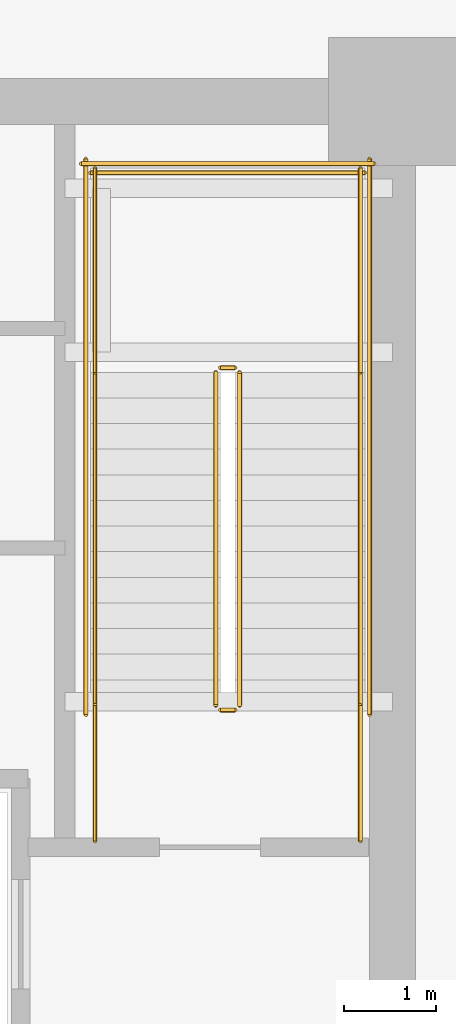
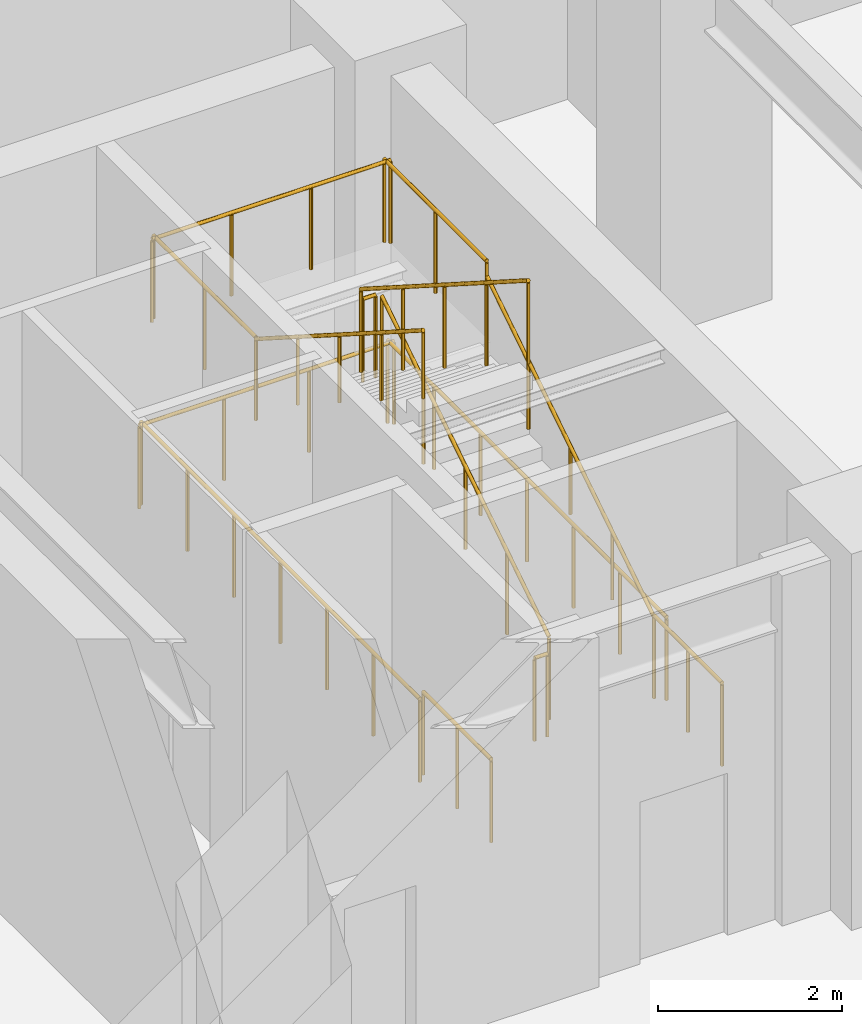
# One storey, part 7 of 8: 14 railings.
"""IFC4 building model written with IfcOpenShell, lengths in metres."""

from ifc_helpers import new_model, si_unit, direction, frame, origin, origin_2d, place, context, subcontext, project, spatial, circle, extrude, material, layer, layer_set, type_object, element, save


model = new_model("IFC4")

# Units and contexts
model_context = context("Model", 3, precision=1e-05, world=origin(), true_north=direction((0.0, 1.0)))
body_context = subcontext(model_context, "Body", "Model", "MODEL_VIEW")
ifc_project = project(units=[si_unit("LENGTHUNIT", "METRE"), si_unit("AREAUNIT", "SQUARE_METRE"), si_unit("VOLUMEUNIT", "CUBIC_METRE"), si_unit("PLANEANGLEUNIT", "RADIAN"), si_unit("MASSUNIT", "GRAM", prefix="KILO")], contexts=[model_context])

# Site, building, storey
site_placement = place(None, origin())
site = spatial("IfcSite", under=ifc_project, at=site_placement, CompositionType="ELEMENT")
building_placement = place(site_placement, origin())
building = spatial("IfcBuilding", under=site, at=building_placement, Name="Yelkora Congress Tower", CompositionType="ELEMENT")
storey_placement = place(building_placement, frame((0.0, 0.0, -5.0)))
storey = spatial("IfcBuildingStorey", under=building, at=storey_placement, Name="B01", CompositionType="ELEMENT", Elevation=-5.0)

# Railings
ifc_material_1 = material(Name="Painted galvanised steel stair well guard with vertical infill", Category="steel")
ifc_layer_1 = layer(ifc_material_1, 0.06005859375)
ifc_layer_set_1 = layer_set([ifc_layer_1], Name="Painted galvanised steel stair well guard with vertical infill")
railing_type_1 = type_object("IfcRailingType", Name="RAIL-STAIR-GUARD-1120", PredefinedType="GUARDRAIL", material=ifc_layer_set_1)
railing_1_placement = place(storey_placement, frame((52.090087890625, 39.60009765625, 0.178466796875)))
element("IfcRailing", 1, at=railing_1_placement, inside=storey, type_object=railing_type_1, Name="ST-02 B01 Stair Well Guardrail 1", PredefinedType="GUARDRAIL", context=body_context, shape_type="SweptSolid", body=[
    extrude(circle(Radius=0.02392578125, at=origin_2d()), frame((0.0, 0.0, 1.09619140625), z_axis=(0.0, 0.843111507901, 0.53773877045), x_axis=(-1.0, 0.0, 0.0)), (0.0, 0.0, 1.0), 4.317138671875),
    extrude(circle(Radius=0.02099609375, at=origin_2d()), origin(), (0.0, 0.0, 1.0), 1.072021484375),
    extrude(circle(Radius=0.02099609375, at=origin_2d()), frame((0.0, 0.909912109375, 0.580322265625)), (0.0, 0.0, 1.0), 1.072021484375),
    extrude(circle(Radius=0.02099609375, at=origin_2d()), frame((0.0, 1.81982421875, 1.16064453125)), (0.0, 0.0, 1.0), 1.072021484375),
    extrude(circle(Radius=0.02099609375, at=origin_2d()), frame((0.0, 2.72998046875, 1.7412109375)), (0.0, 0.0, 1.0), 1.072021484375),
    extrude(circle(Radius=0.02099609375, at=origin_2d()), frame((0.0, 3.639892578125, 2.321533203125)), (0.0, 0.0, 1.0), 1.072021484375),
])
railing_2_placement = place(storey_placement, frame((52.0400390625, 43.2900390625, 2.5)))
element("IfcRailing", 2, at=railing_2_placement, inside=storey, type_object=railing_type_1, Name="ST-02 B01 Stair Well Guardrail 2", PredefinedType="GUARDRAIL", context=body_context, shape_type="SweptSolid", body=[
    extrude(circle(Radius=0.02392578125, at=origin_2d()), frame((0.0, 0.0, 1.09619140625), z_axis=(-1.0, 0.0, 0.0), x_axis=(0.0, -1.0, 0.0)), (0.0, 0.0, 1.0), 0.16015625),
    extrude(circle(Radius=0.02099609375, at=origin_2d()), origin(), (0.0, 0.0, 1.0), 1.072021484375),
    extrude(circle(Radius=0.02099609375, at=origin_2d()), frame((-0.16015625, 0.0, 0.0)), (0.0, 0.0, 1.0), 1.072021484375),
])
for number, where, name in (
    (3, (53.409912109375, 43.239990234375, 2.5), "ST-02 B01 Stair Well Guardrail 3"),
    (4, (50.510009765625, 43.239990234375, 2.5), "ST-02 B01 Stair Well Guardrail 4"),
):
    element("IfcRailing", number, at=place(storey_placement, frame(where)), inside=storey, type_object=railing_type_1, Name=name, PredefinedType="GUARDRAIL", context=body_context, shape_type="SweptSolid", body=[
        extrude(circle(Radius=0.02392578125, at=origin_2d()), frame((0.0, 0.0, 1.09619140625), z_axis=(0.0, 1.0, 0.0), x_axis=(-1.0, 0.0, 0.0)), (0.0, 0.0, 1.0), 2.22998046875),
        extrude(circle(Radius=0.02099609375, at=origin_2d()), origin(), (0.0, 0.0, 1.0), 1.072021484375),
        extrude(circle(Radius=0.02099609375, at=origin_2d()), frame((0.0, 1.114990234375, 0.0)), (0.0, 0.0, 1.0), 1.072021484375),
        extrude(circle(Radius=0.02099609375, at=origin_2d()), frame((0.0, 2.22998046875, 0.0)), (0.0, 0.0, 1.0), 1.072021484375),
    ])
railing_3_placement = place(storey_placement, frame((53.4599609375, 45.419921875, 2.5)))
element("IfcRailing", 5, at=railing_3_placement, inside=storey, type_object=railing_type_1, Name="ST-02 B01 Stair Well Guardrail 5", PredefinedType="GUARDRAIL", context=body_context, shape_type="SweptSolid", body=[
    extrude(circle(Radius=0.02392578125, at=origin_2d()), frame((0.0, 0.0, 1.09619140625), z_axis=(-1.0, 0.0, 0.0), x_axis=(0.0, -1.0, 0.0)), (0.0, 0.0, 1.0), 3.0),
    extrude(circle(Radius=0.02099609375, at=origin_2d()), origin(), (0.0, 0.0, 1.0), 1.072021484375),
    extrude(circle(Radius=0.02099609375, at=origin_2d()), frame((-1.0, 0.0, 0.0)), (0.0, 0.0, 1.0), 1.072021484375),
    extrude(circle(Radius=0.02099609375, at=origin_2d()), frame((-2.0, 0.0, 0.0)), (0.0, 0.0, 1.0), 1.072021484375),
    extrude(circle(Radius=0.02099609375, at=origin_2d()), frame((-3.0, 0.0, 0.0)), (0.0, 0.0, 1.0), 1.072021484375),
])
railing_4_placement = place(storey_placement, frame((51.830078125, 43.239990234375, 2.678466796875)))
element("IfcRailing", 6, at=railing_4_placement, inside=storey, type_object=railing_type_1, Name="ST-02 B01 Stair Well Guardrail 6", PredefinedType="GUARDRAIL", context=body_context, shape_type="SweptSolid", body=[
    extrude(circle(Radius=0.02392578125, at=origin_2d()), frame((0.0, 0.0, 1.09619140625), z_axis=(0.0, -0.843111507901, 0.53773877045), x_axis=(1.0, 0.0, 0.0)), (0.0, 0.0, 1.0), 4.317138671875),
    extrude(circle(Radius=0.02099609375, at=origin_2d()), origin(), (0.0, 0.0, 1.0), 1.072021484375),
    extrude(circle(Radius=0.02099609375, at=origin_2d()), frame((0.0, -0.909912109375, 0.580322265625)), (0.0, 0.0, 1.0), 1.072021484375),
    extrude(circle(Radius=0.02099609375, at=origin_2d()), frame((0.0, -1.81982421875, 1.16064453125)), (0.0, 0.0, 1.0), 1.072021484375),
    extrude(circle(Radius=0.02099609375, at=origin_2d()), frame((0.0, -2.72998046875, 1.7412109375)), (0.0, 0.0, 1.0), 1.072021484375),
    extrude(circle(Radius=0.02099609375, at=origin_2d()), frame((0.0, -3.639892578125, 2.321533203125)), (0.0, 0.0, 1.0), 1.072021484375),
])
railing_5_placement = place(storey_placement, frame((52.0400390625, 39.550048828125, 0.0)))
element("IfcRailing", 7, at=railing_5_placement, inside=storey, type_object=railing_type_1, Name="ST-02 B01 Stair Well Guardrail 7", PredefinedType="GUARDRAIL", context=body_context, shape_type="SweptSolid", body=[
    extrude(circle(Radius=0.02392578125, at=origin_2d()), frame((0.0, 0.0, 1.09619140625), z_axis=(-1.0, 0.0, 0.0), x_axis=(0.0, -1.0, 0.0)), (0.0, 0.0, 1.0), 0.16015625),
    extrude(circle(Radius=0.02099609375, at=origin_2d()), origin(), (0.0, 0.0, 1.0), 1.072021484375),
    extrude(circle(Radius=0.02099609375, at=origin_2d()), frame((-0.16015625, 0.0, 0.0)), (0.0, 0.0, 1.0), 1.072021484375),
])
for number, where, name in (
    (8, (53.409912109375, 38.1201171875, 0.0), "ST-02 B01 Stair Well Guardrail 8"),
    (9, (50.510009765625, 38.1201171875, 0.0), "ST-02 B01 Stair Well Guardrail 9"),
):
    element("IfcRailing", number, at=place(storey_placement, frame(where)), inside=storey, type_object=railing_type_1, Name=name, PredefinedType="GUARDRAIL", context=body_context, shape_type="SweptSolid", body=[
        extrude(circle(Radius=0.02392578125, at=origin_2d()), frame((0.0, 0.0, 1.09619140625), z_axis=(0.0, 1.0, 0.0), x_axis=(-1.0, 0.0, 0.0)), (0.0, 0.0, 1.0), 1.47998046875),
        extrude(circle(Radius=0.02099609375, at=origin_2d()), origin(), (0.0, 0.0, 1.0), 1.072021484375),
        extrude(circle(Radius=0.02099609375, at=origin_2d()), frame((0.0, 0.739990234375, 0.0)), (0.0, 0.0, 1.0), 1.072021484375),
        extrude(circle(Radius=0.02099609375, at=origin_2d()), frame((0.0, 1.47998046875, 0.0)), (0.0, 0.0, 1.0), 1.072021484375),
    ])
for number, where, name in (
    (10, (53.510009765625, 39.5, 0.0), "ST-02 B01 Stair Well Guardrail 10"),
    (11, (50.409912109375, 39.5, 0.0), "ST-02 B01 Stair Well Guardrail 11"),
):
    element("IfcRailing", number, at=place(storey_placement, frame(where)), inside=storey, type_object=railing_type_1, Name=name, PredefinedType="GUARDRAIL", context=body_context, shape_type="SweptSolid", body=[
        extrude(circle(Radius=0.02392578125, at=origin_2d()), frame((0.0, 0.0, 1.09619140625), z_axis=(0.0, 1.0, 0.0), x_axis=(-1.0, 0.0, 0.0)), (0.0, 0.0, 1.0), 6.070068359375),
        extrude(circle(Radius=0.02099609375, at=origin_2d()), origin(), (0.0, 0.0, 1.0), 1.072021484375),
        extrude(circle(Radius=0.02099609375, at=origin_2d()), frame((0.0, 1.01171875, 0.0)), (0.0, 0.0, 1.0), 1.072021484375),
        extrude(circle(Radius=0.02099609375, at=origin_2d()), frame((0.0, 2.0234375, 0.0)), (0.0, 0.0, 1.0), 1.072021484375),
        extrude(circle(Radius=0.02099609375, at=origin_2d()), frame((0.0, 3.03515625, 0.0)), (0.0, 0.0, 1.0), 1.072021484375),
        extrude(circle(Radius=0.02099609375, at=origin_2d()), frame((0.0, 4.046630859375, 0.0)), (0.0, 0.0, 1.0), 1.072021484375),
        extrude(circle(Radius=0.02099609375, at=origin_2d()), frame((0.0, 5.058349609375, 0.0)), (0.0, 0.0, 1.0), 1.072021484375),
        extrude(circle(Radius=0.02099609375, at=origin_2d()), frame((0.0, 6.070068359375, 0.0)), (0.0, 0.0, 1.0), 1.072021484375),
    ])
railing_6_placement = place(storey_placement, frame((53.56005859375, 45.52001953125, 0.0)))
element("IfcRailing", 12, at=railing_6_placement, inside=storey, type_object=railing_type_1, Name="ST-02 B01 Stair Well Guardrail 12", PredefinedType="GUARDRAIL", context=body_context, shape_type="SweptSolid", body=[
    extrude(circle(Radius=0.02392578125, at=origin_2d()), frame((0.0, 0.0, 1.09619140625), z_axis=(-1.0, 0.0, 0.0), x_axis=(0.0, -1.0, 0.0)), (0.0, 0.0, 1.0), 3.199951171875),
    extrude(circle(Radius=0.02099609375, at=origin_2d()), origin(), (0.0, 0.0, 1.0), 1.072021484375),
    extrude(circle(Radius=0.02099609375, at=origin_2d()), frame((-1.066650390625, 0.0, 0.0)), (0.0, 0.0, 1.0), 1.072021484375),
    extrude(circle(Radius=0.02099609375, at=origin_2d()), frame((-2.13330078125, 0.0, 0.0)), (0.0, 0.0, 1.0), 1.072021484375),
    extrude(circle(Radius=0.02099609375, at=origin_2d()), frame((-3.199951171875, 0.0, 0.0)), (0.0, 0.0, 1.0), 1.072021484375),
])
ifc_material_2 = material(Name="Brushed stainless steel tubular handrail", Category="steel")
ifc_layer_2 = layer(ifc_material_2, 0.050048828125)
ifc_layer_set_2 = layer_set([ifc_layer_2], Name="Brushed stainless steel tubular handrail")
railing_type_2 = type_object("IfcRailingType", Name="RAIL-STAIR-HAND-920", PredefinedType="HANDRAIL", material=ifc_layer_set_2)
railing_7_placement = place(storey_placement, frame((53.409912109375, 39.60009765625, 0.178466796875)))
element("IfcRailing", 13, at=railing_7_placement, inside=storey, type_object=railing_type_2, Name="ST-02 B01 Pitch Handrail 1", PredefinedType="HANDRAIL", context=body_context, shape_type="SweptSolid", body=[
    extrude(circle(Radius=0.02392578125, at=origin_2d()), frame((0.0, 0.0, 0.89599609375), z_axis=(0.0, 0.843111507901, 0.53773877045), x_axis=(-1.0, 0.0, 0.0)), (0.0, 0.0, 1.0), 4.317138671875),
    extrude(circle(Radius=0.02099609375, at=origin_2d()), origin(), (0.0, 0.0, 1.0), 0.871826171875),
    extrude(circle(Radius=0.02099609375, at=origin_2d()), frame((0.0, 0.909912109375, 0.580322265625)), (0.0, 0.0, 1.0), 0.871826171875),
    extrude(circle(Radius=0.02099609375, at=origin_2d()), frame((0.0, 1.81982421875, 1.16064453125)), (0.0, 0.0, 1.0), 0.871826171875),
    extrude(circle(Radius=0.02099609375, at=origin_2d()), frame((0.0, 2.72998046875, 1.7412109375)), (0.0, 0.0, 1.0), 0.871826171875),
    extrude(circle(Radius=0.02099609375, at=origin_2d()), frame((0.0, 3.639892578125, 2.321533203125)), (0.0, 0.0, 1.0), 0.871826171875),
])
railing_8_placement = place(storey_placement, frame((50.510009765625, 43.239990234375, 2.678466796875)))
element("IfcRailing", 14, at=railing_8_placement, inside=storey, type_object=railing_type_2, Name="ST-02 B01 Pitch Handrail 2", PredefinedType="HANDRAIL", context=body_context, shape_type="SweptSolid", body=[
    extrude(circle(Radius=0.02392578125, at=origin_2d()), frame((0.0, 0.0, 0.89599609375), z_axis=(0.0, -0.843111507901, 0.53773877045), x_axis=(1.0, 0.0, 0.0)), (0.0, 0.0, 1.0), 4.317138671875),
    extrude(circle(Radius=0.02099609375, at=origin_2d()), origin(), (0.0, 0.0, 1.0), 0.871826171875),
    extrude(circle(Radius=0.02099609375, at=origin_2d()), frame((0.0, -0.909912109375, 0.580322265625)), (0.0, 0.0, 1.0), 0.871826171875),
    extrude(circle(Radius=0.02099609375, at=origin_2d()), frame((0.0, -1.81982421875, 1.16064453125)), (0.0, 0.0, 1.0), 0.871826171875),
    extrude(circle(Radius=0.02099609375, at=origin_2d()), frame((0.0, -2.72998046875, 1.7412109375)), (0.0, 0.0, 1.0), 0.871826171875),
    extrude(circle(Radius=0.02099609375, at=origin_2d()), frame((0.0, -3.639892578125, 2.321533203125)), (0.0, 0.0, 1.0), 0.871826171875),
])

save(model, "model.ifc")
